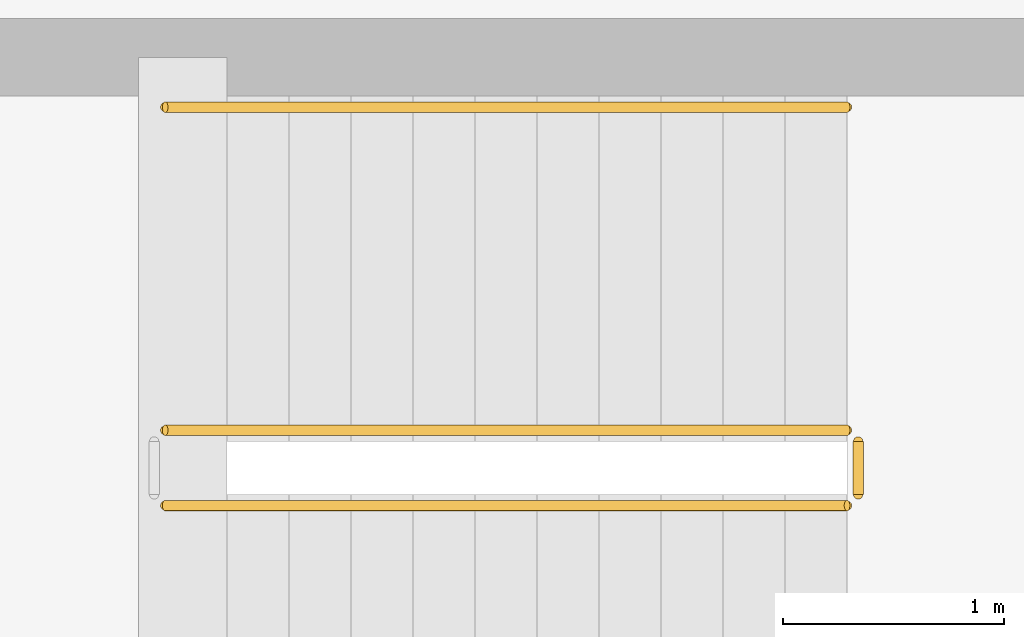
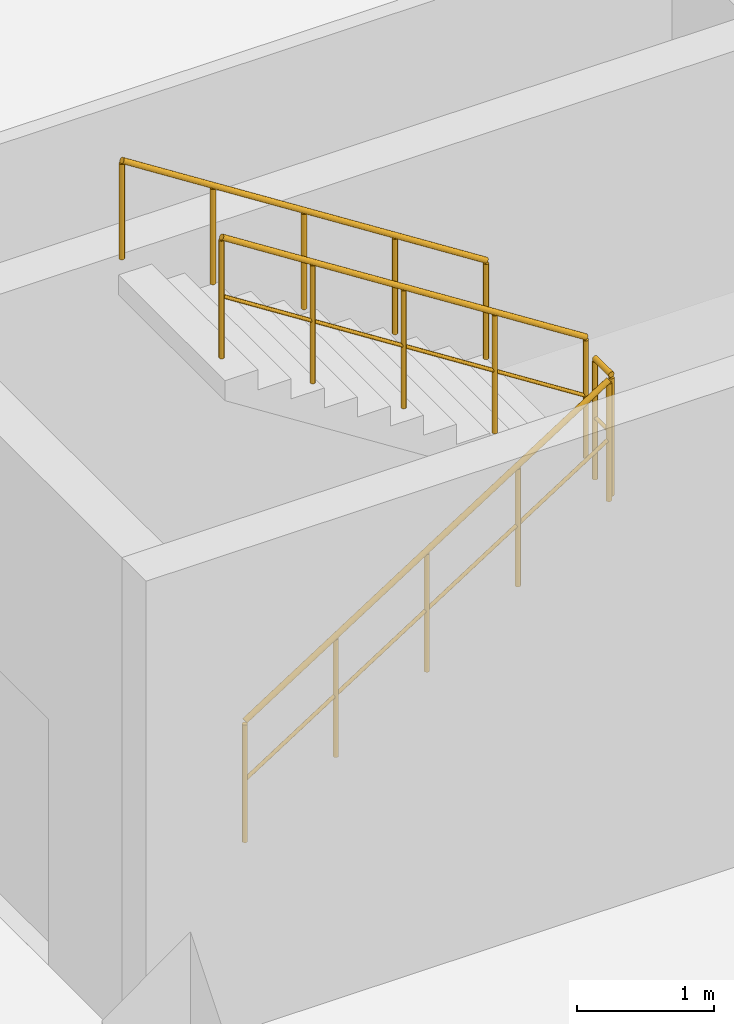
# One storey, part 70 of 86: 4 railings.
"""IFC4 building model written with IfcOpenShell, lengths in metres."""

from ifc_helpers import new_model, si_unit, direction, frame, origin, origin_2d, place, context, subcontext, project, spatial, circle, extrude, material, type_object, element, save


model = new_model("IFC4")

# Units and contexts
model_context = context("Model", 3, precision=1e-05, world=origin(), true_north=direction((0.0, 1.0)))
body_context = subcontext(model_context, "Body", "Model", "MODEL_VIEW")
ifc_project = project(units=[si_unit("LENGTHUNIT", "METRE"), si_unit("AREAUNIT", "SQUARE_METRE"), si_unit("VOLUMEUNIT", "CUBIC_METRE"), si_unit("PLANEANGLEUNIT", "RADIAN"), si_unit("MASSUNIT", "GRAM", prefix="KILO")], contexts=[model_context])

# Site, building, storey
site_placement = place(None, origin())
site = spatial("IfcSite", under=ifc_project, at=site_placement, CompositionType="ELEMENT")
building_placement = place(site_placement, origin())
building = spatial("IfcBuilding", under=site, at=building_placement, Name="Oolite Switchyard Hospital", CompositionType="ELEMENT")
storey_placement = place(building_placement, frame((0.0, 0.0, 13.5)))
storey = spatial("IfcBuildingStorey", under=building, at=storey_placement, Name="L03", CompositionType="ELEMENT", Elevation=13.5)

# Railings
ifc_material = material(Name="Galvanized painted architectural steel handrail", Category="steel")
railing_type_1 = type_object("IfcRailingType", Name="RL-STAIR-GRD", PredefinedType="GUARDRAIL", material=ifc_material)
railing_1_placement = place(storey_placement, frame((21.9599609375, 62.510009765625, 0.17919921875)))
element("IfcRailing", 1, at=railing_1_placement, inside=storey, type_object=railing_type_1, Name="L03 ST-02 stair guard 1", PredefinedType="GUARDRAIL", context=body_context, shape_type="SweptSolid", body=[
    extrude(circle(Radius=0.02392578125, at=origin_2d()), frame((0.0, 0.0, 1.076171875), z_axis=(0.842339298311, 0.0, 0.538947591627), x_axis=(0.0, 1.0, 0.0)), (0.0, 0.0, 1.0), 3.656494140625),
    extrude(circle(Radius=0.015625, at=origin_2d()), frame((0.0, 0.0, 0.550048828125), z_axis=(0.842339298311, 0.0, 0.538947591627), x_axis=(0.0, 1.0, 0.0)), (0.0, 0.0, 1.0), 3.656494140625),
    extrude(circle(Radius=0.02099609375, at=origin_2d()), origin(), (0.0, 0.0, 1.0), 1.052001953125),
    extrude(circle(Radius=0.02099609375, at=origin_2d()), frame((0.77001953125, 0.0, 0.49267578125)), (0.0, 0.0, 1.0), 1.052001953125),
    extrude(circle(Radius=0.02099609375, at=origin_2d()), frame((1.5400390625, 0.0, 0.9853515625)), (0.0, 0.0, 1.0), 1.052001953125),
    extrude(circle(Radius=0.02099609375, at=origin_2d()), frame((2.31005859375, 0.0, 1.47802734375)), (0.0, 0.0, 1.0), 1.052001953125),
    extrude(circle(Radius=0.02099609375, at=origin_2d()), frame((3.080078125, 0.0, 1.970703125)), (0.0, 0.0, 1.0), 1.052001953125),
])
railing_2_placement = place(storey_placement, frame((25.090087890625, 62.56005859375, 2.14990234375)))
element("IfcRailing", 2, at=railing_2_placement, inside=storey, type_object=railing_type_1, Name="L03 ST-02 stair guard 2", PredefinedType="GUARDRAIL", context=body_context, shape_type="SweptSolid", body=[
    extrude(circle(Radius=0.02392578125, at=origin_2d()), frame((0.0, 0.0, 1.076171875), z_axis=(0.0, 1.0, 0.0), x_axis=(-1.0, 0.0, 0.0)), (0.0, 0.0, 1.0), 0.239990234375),
    extrude(circle(Radius=0.015625, at=origin_2d()), frame((0.0, 0.0, 0.550048828125), z_axis=(0.0, 1.0, 0.0), x_axis=(-1.0, 0.0, 0.0)), (0.0, 0.0, 1.0), 0.239990234375),
    extrude(circle(Radius=0.02099609375, at=origin_2d()), origin(), (0.0, 0.0, 1.0), 1.052001953125),
    extrude(circle(Radius=0.02099609375, at=origin_2d()), frame((0.0, 0.239990234375, 0.0)), (0.0, 0.0, 1.0), 1.052001953125),
])
railing_3_placement = place(storey_placement, frame((25.0400390625, 62.85009765625, 2.3291015625)))
element("IfcRailing", 3, at=railing_3_placement, inside=storey, type_object=railing_type_1, Name="L03 ST-02 stair guard 3", PredefinedType="GUARDRAIL", context=body_context, shape_type="SweptSolid", body=[
    extrude(circle(Radius=0.02392578125, at=origin_2d()), frame((0.0, 0.0, 1.076171875), z_axis=(-0.842308987159, 0.0, 0.53899496301), x_axis=(0.0, -1.0, 0.0)), (0.0, 0.0, 1.0), 3.65673828125),
    extrude(circle(Radius=0.015625, at=origin_2d()), frame((0.0, 0.0, 0.550048828125), z_axis=(-0.842308987159, 0.0, 0.53899496301), x_axis=(0.0, -1.0, 0.0)), (0.0, 0.0, 1.0), 3.65673828125),
    extrude(circle(Radius=0.02099609375, at=origin_2d()), origin(), (0.0, 0.0, 1.0), 1.052001953125),
    extrude(circle(Radius=0.02099609375, at=origin_2d()), frame((-0.77001953125, 0.0, 0.49267578125)), (0.0, 0.0, 1.0), 1.052001953125),
    extrude(circle(Radius=0.02099609375, at=origin_2d()), frame((-1.5400390625, 0.0, 0.9853515625)), (0.0, 0.0, 1.0), 1.052001953125),
    extrude(circle(Radius=0.02099609375, at=origin_2d()), frame((-2.31005859375, 0.0, 1.478271484375)), (0.0, 0.0, 1.0), 1.052001953125),
    extrude(circle(Radius=0.02099609375, at=origin_2d()), frame((-3.080078125, 0.0, 1.970947265625)), (0.0, 0.0, 1.0), 1.052001953125),
])
railing_type_2 = type_object("IfcRailingType", Name="RL-STAIR-HND", PredefinedType="HANDRAIL", material=ifc_material)
railing_4_placement = place(storey_placement, frame((25.0400390625, 64.31005859375, 2.3291015625)))
element("IfcRailing", 4, at=railing_4_placement, inside=storey, type_object=railing_type_2, Name="L03 ST-02 stair handrail 2", PredefinedType="HANDRAIL", context=body_context, shape_type="SweptSolid", body=[
    extrude(circle(Radius=0.02392578125, at=origin_2d()), frame((0.0, 0.0, 0.8759765625), z_axis=(-0.842308987159, 0.0, 0.53899496301), x_axis=(0.0, -1.0, 0.0)), (0.0, 0.0, 1.0), 3.65673828125),
    extrude(circle(Radius=0.02099609375, at=origin_2d()), origin(), (0.0, 0.0, 1.0), 0.851806640625),
    extrude(circle(Radius=0.02099609375, at=origin_2d()), frame((-0.77001953125, 0.0, 0.49267578125)), (0.0, 0.0, 1.0), 0.851806640625),
    extrude(circle(Radius=0.02099609375, at=origin_2d()), frame((-1.5400390625, 0.0, 0.9853515625)), (0.0, 0.0, 1.0), 0.851806640625),
    extrude(circle(Radius=0.02099609375, at=origin_2d()), frame((-2.31005859375, 0.0, 1.478271484375)), (0.0, 0.0, 1.0), 0.851806640625),
    extrude(circle(Radius=0.02099609375, at=origin_2d()), frame((-3.080078125, 0.0, 1.970947265625)), (0.0, 0.0, 1.0), 0.851806640625),
])

save(model, "model.ifc")
